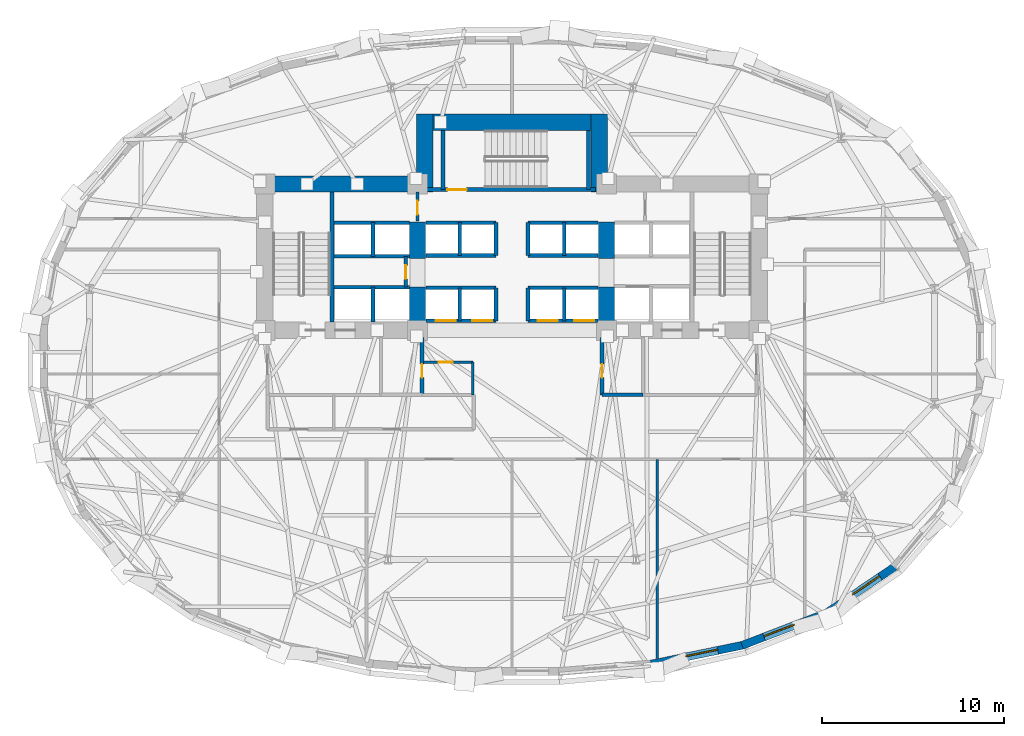
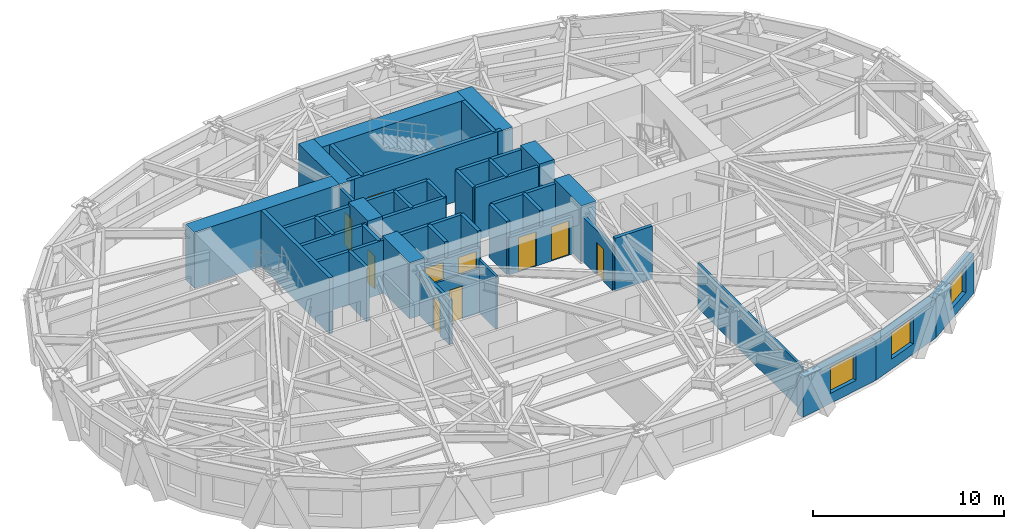
# One storey, part 7 of 13: 44 walls, 10 doors, 3 windows, 13 openings.
"""IFC4 building model written with IfcOpenShell, lengths in metres."""

from ifc_helpers import new_model, si_unit, direction, frame, frame_2d, origin, place, context, subcontext, project, spatial, rectangle, extrude, material, layer, layer_set, type_object, element, fill, save


model = new_model("IFC4")

# Units and contexts
model_context = context("Model", 3, precision=1e-05, world=origin(), true_north=direction((0.0, 1.0)))
body_context = subcontext(model_context, "Body", "Model", "MODEL_VIEW")
ifc_project = project(units=[si_unit("LENGTHUNIT", "METRE"), si_unit("AREAUNIT", "SQUARE_METRE"), si_unit("VOLUMEUNIT", "CUBIC_METRE"), si_unit("PLANEANGLEUNIT", "RADIAN"), si_unit("MASSUNIT", "GRAM", prefix="KILO")], contexts=[model_context])

# Site, building, storey
site_placement = place(None, origin())
site = spatial("IfcSite", under=ifc_project, at=site_placement, CompositionType="ELEMENT")
building_placement = place(site_placement, origin())
building = spatial("IfcBuilding", under=site, at=building_placement, Name="Keldmark Tower", CompositionType="ELEMENT")
storey_placement = place(building_placement, frame((0.0, 0.0, 34.199951171875)))
storey = spatial("IfcBuildingStorey", under=building, at=storey_placement, Name="L08", CompositionType="ELEMENT", Elevation=34.199951171875)

# Wall, opening, door
ifc_material_1 = material(Name="Acoustic Gypsum Board Interior Partition", Category="gypsum")
ifc_layer_1 = layer(ifc_material_1, 0.1298828125)
ifc_layer_set_1 = layer_set([ifc_layer_1], Name="Acoustic Gypsum Board Interior Partition")
wall_type_1 = type_object("IfcWallType", Name="Interior Partition 130 mm", PredefinedType="PARTITIONING", material=ifc_layer_set_1)
wall_1_placement = place(storey_placement, frame((-4.8798828125, -0.35009765625, 0.0), z_axis=(0.0, 0.0, 1.0), x_axis=(1.0, 0.0, 0.0)))
wall_1 = element("IfcWall", 1, at=wall_1_placement, inside=storey, type_object=wall_type_1, Name="L08 Interior Partition 130 mm CSC-W-N", PredefinedType="PARTITIONING", context=body_context, shape_type="SweptSolid", body=[
    extrude(rectangle(XDim=2.72998046875, YDim=0.1298828125, at=frame_2d((1.364990234375, 0.0))), origin(), (0.0, 0.0, 1.0), 2.85302734375),
])
opening_1_placement = place(wall_1_placement, frame((0.85009765625, 0.0, 0.0)))
opening_1 = element("IfcOpeningElement", 2, at=opening_1_placement, cuts=wall_1, Name="Opening D-CL078", PredefinedType="OPENING", context=body_context, shape_type="SweptSolid", body=[
    extrude(rectangle(XDim=0.780029296875, YDim=2.10009765625, at=frame_2d((0.39013671875, 1.050048828125))), frame((0.0, 0.074951171875, 0.0), z_axis=(0.0, -1.0, 0.0), x_axis=(1.0, 0.0, 0.0)), (0.0, 0.0, 1.0), 0.14990234375),
])
ifc_material_2 = material(Name="Flush Utility Closet Timber Door", Category="wood")
door_type_1 = type_object("IfcDoorType", Name="Closet Door 780x2100", OperationType="NOTDEFINED", PredefinedType="DOOR", material=ifc_material_2)
door_1_placement = place(opening_1_placement, origin())
door_1 = element("IfcDoor", 3, at=door_1_placement, inside=storey, type_object=door_type_1, Name="L08 Closet Door 780x2100 D-CSCW1-L08", OperationType="SINGLE_SWING_LEFT", OverallHeight=2.10009765625, OverallWidth=0.780029296875, PredefinedType="DOOR", context=body_context, shape_type="SweptSolid", body=[
    extrude(rectangle(XDim=0.780029296875, YDim=2.10009765625, at=frame_2d((0.39013671875, 1.050048828125))), frame((0.0, 0.02490234375, 0.0), z_axis=(0.0, -1.0, 0.0), x_axis=(1.0, 0.0, 0.0)), (0.0, 0.0, 1.0), 0.050048828125),
])
fill(opening_1, door_1)

# Walls
wall_2_placement = place(storey_placement, frame((-2.14990234375, -2.14990234375, 0.0), z_axis=(0.0, 0.0, 1.0), x_axis=(0.0, 1.0, 0.0)))
element("IfcWall", 4, at=wall_2_placement, inside=storey, type_object=wall_type_1, Name="L08 Interior Partition 130 mm CSC-W-E", PredefinedType="PARTITIONING", context=body_context, shape_type="SweptSolid", body=[
    extrude(rectangle(XDim=1.7998046875, YDim=0.1298828125, at=frame_2d((0.89990234375, 0.0))), origin(), (0.0, 0.0, 1.0), 3.400146484375),
])
wall_3_placement = place(storey_placement, frame((8.0, -16.65966796875, 0.0), z_axis=(0.0, 0.0, 1.0), x_axis=(0.0, 1.0, 0.0)))
element("IfcWall", 5, at=wall_3_placement, inside=storey, type_object=wall_type_1, Name="L08 Interior Partition 130 mm S-DIV-3", PredefinedType="PARTITIONING", context=body_context, shape_type="SweptSolid", body=[
    extrude(rectangle(XDim=10.959716796875, YDim=0.1298828125, at=frame_2d((5.47998046875, 0.0))), origin(), (0.0, 0.0, 1.0), 2.85302734375),
])
ifc_material_3 = material(Name="Concrete C70/85", Category="concrete")
ifc_layer_2 = layer(ifc_material_3, 0.89990234375)
ifc_layer_set_2 = layer_set([ifc_layer_2], Name="Concrete C70/85")
wall_type_2 = type_object("IfcWallType", Name="Lower Core Shear Wall 900 mm", PredefinedType="SHEAR", material=ifc_layer_set_2)
wall_4_placement = place(storey_placement, frame((-14.050048828125, 9.449951171875, 0.0), z_axis=(0.0, 0.0, 1.0), x_axis=(1.0, 0.0, 0.0)))
element("IfcWall", 6, at=wall_4_placement, inside=storey, type_object=wall_type_2, Name="L08 West Core North Shear Wall", PredefinedType="SHEAR", context=body_context, shape_type="SweptSolid", body=[
    extrude(rectangle(XDim=9.699951171875, YDim=0.89990234375, at=frame_2d((4.85009765625, 0.0))), origin(), (0.0, 0.0, 1.0), 3.60009765625),
])
wall_5_placement = place(storey_placement, frame((-5.199951171875, 0.949951171875, 0.0), z_axis=(0.0, 0.0, 1.0), x_axis=(0.0, 1.0, 0.0)))
element("IfcWall", 7, at=wall_5_placement, inside=storey, type_object=wall_type_2, Name="L08 West Core Inner Shear Pier South", PredefinedType="SHEAR", context=body_context, shape_type="SweptSolid", body=[
    extrude(rectangle(XDim=2.85009765625, YDim=0.89990234375, at=frame_2d((1.425048828125, 0.0))), origin(), (0.0, 0.0, 1.0), 3.60009765625),
])
wall_6_placement = place(storey_placement, frame((-5.199951171875, 5.35009765625, 0.0), z_axis=(0.0, 0.0, 1.0), x_axis=(0.0, 1.0, 0.0)))
element("IfcWall", 8, at=wall_6_placement, inside=storey, type_object=wall_type_2, Name="L08 West Core Inner Shear Pier North", PredefinedType="SHEAR", context=body_context, shape_type="SweptSolid", body=[
    extrude(rectangle(XDim=2.0, YDim=0.89990234375, at=frame_2d((1.0, 0.0))), origin(), (0.0, 0.0, 1.0), 3.60009765625),
])
wall_7_placement = place(storey_placement, frame((5.199951171875, 0.949951171875, 0.0), z_axis=(0.0, 0.0, 1.0), x_axis=(0.0, 1.0, 0.0)))
element("IfcWall", 9, at=wall_7_placement, inside=storey, type_object=wall_type_2, Name="L08 East Core Inner Shear Pier South", PredefinedType="SHEAR", context=body_context, shape_type="SweptSolid", body=[
    extrude(rectangle(XDim=2.85009765625, YDim=0.89990234375, at=frame_2d((1.425048828125, 0.0))), origin(), (0.0, 0.0, 1.0), 3.60009765625),
])
wall_8_placement = place(storey_placement, frame((5.199951171875, 5.35009765625, 0.0), z_axis=(0.0, 0.0, 1.0), x_axis=(0.0, 1.0, 0.0)))
element("IfcWall", 10, at=wall_8_placement, inside=storey, type_object=wall_type_2, Name="L08 East Core Inner Shear Pier North", PredefinedType="SHEAR", context=body_context, shape_type="SweptSolid", body=[
    extrude(rectangle(XDim=2.0, YDim=0.89990234375, at=frame_2d((1.0, 0.0))), origin(), (0.0, 0.0, 1.0), 3.60009765625),
])
wall_9_placement = place(storey_placement, frame((-5.25, 12.85009765625, 0.0), z_axis=(0.0, 0.0, 1.0), x_axis=(1.0, 0.0, 0.0)))
element("IfcWall", 11, at=wall_9_placement, inside=storey, type_object=wall_type_2, Name="L08 North Core Shear Wall", PredefinedType="SHEAR", context=body_context, shape_type="SweptSolid", body=[
    extrude(rectangle(XDim=10.5, YDim=0.89990234375, at=frame_2d((5.25, 0.0))), origin(), (0.0, 0.0, 1.0), 3.60009765625),
])
for number, where, z_axis, x_axis, name in (
    (12, (-4.800048828125, 9.0, 0.0), (0.0, 0.0, 1.0), (0.0, 1.0, 0.0), "L08 North Core West Shear Wall"),
    (13, (4.800048828125, 9.0, 0.0), (0.0, 0.0, 1.0), (0.0, 1.0, 0.0), "L08 North Core East Shear Wall"),
):
    element("IfcWall", number, at=place(storey_placement, frame(where, z_axis=z_axis, x_axis=x_axis)), inside=storey, type_object=wall_type_2, Name=name, PredefinedType="SHEAR", context=body_context, shape_type="SweptSolid", body=[
        extrude(rectangle(XDim=4.300048828125, YDim=0.89990234375, at=frame_2d((2.14990234375, 0.0))), origin(), (0.0, 0.0, 1.0), 3.60009765625),
    ])

# Wall, opening, door
ifc_material_4 = material(Name="Type X Fire-Rated Gypsum Partition Assembly", Category="gypsum")
ifc_layer_3 = layer(ifc_material_4, 0.1650390625)
ifc_layer_set_3 = layer_set([ifc_layer_3], Name="Type X Fire-Rated Gypsum Partition Assembly")
wall_type_3 = type_object("IfcWallType", Name="Rated Partition 165 mm", PredefinedType="PARTITIONING", material=ifc_layer_set_3)
wall_10_placement = place(storey_placement, frame((-5.199951171875, 7.419921875, 0.0), z_axis=(0.0, 0.0, 1.0), x_axis=(0.0, 1.0, 0.0)))
wall_10 = element("IfcWall", 14, at=wall_10_placement, inside=storey, type_object=wall_type_3, Name="L08 Rated Partition 165 mm CS-NW-E", PredefinedType="PARTITIONING", context=body_context, shape_type="SweptSolid", body=[
    extrude(rectangle(XDim=1.580078125, YDim=0.1650390625, at=frame_2d((0.7900390625, 0.0))), origin(), (0.0, 0.0, 1.0), 3.400146484375),
])
opening_2_placement = place(wall_10_placement, frame((0.35009765625, 0.0, 0.0)))
opening_2 = element("IfcOpeningElement", 15, at=opening_2_placement, cuts=wall_10, Name="Opening D-RS075", PredefinedType="OPENING", context=body_context, shape_type="SweptSolid", body=[
    extrude(rectangle(XDim=0.75, YDim=2.10009765625, at=frame_2d((0.375, 1.050048828125))), frame((0.0, 0.092529296875, 0.0), z_axis=(0.0, -1.0, 0.0), x_axis=(1.0, 0.0, 0.0)), (0.0, 0.0, 1.0), 0.18505859375),
])
ifc_material_5 = material(Name="Galvanized Fire-Rated Access Leaf", Category="metal")
door_type_2 = type_object("IfcDoorType", Name="Riser Access Door 750x2100", OperationType="NOTDEFINED", PredefinedType="DOOR", material=ifc_material_5)
door_2_placement = place(opening_2_placement, origin())
door_2 = element("IfcDoor", 16, at=door_2_placement, inside=storey, type_object=door_type_2, Name="L08 Riser Access Door 750x2100 D-CSNW1-L08", OperationType="SINGLE_SWING_LEFT", OverallHeight=2.10009765625, OverallWidth=0.75, PredefinedType="DOOR", context=body_context, shape_type="SweptSolid", body=[
    extrude(rectangle(XDim=0.75, YDim=2.10009765625, at=frame_2d((0.375, 1.050048828125))), frame((0.0, 0.02490234375, 0.0), z_axis=(0.0, -1.0, 0.0), x_axis=(1.0, 0.0, 0.0)), (0.0, 0.0, 1.0), 0.050048828125),
])
fill(opening_2, door_2)

ifc_material_6 = material(Name="Fire-Resistant Type X Gypsum Shaftliner Coreboard", Category="gypsum")
ifc_layer_4 = layer(ifc_material_6, 0.199951171875)
ifc_layer_set_4 = layer_set([ifc_layer_4], Name="Fire-Resistant Type X Gypsum Shaftliner Coreboard")
wall_type_4 = type_object("IfcWallType", Name="Shaft Wall 200 mm", PredefinedType="SOLIDWALL", material=ifc_layer_set_4)
wall_11_placement = place(storey_placement, frame((-4.949951171875, -2.14990234375, 0.0), z_axis=(0.0, 0.0, 1.0), x_axis=(0.0, 1.0, 0.0)))
wall_11 = element("IfcWall", 17, at=wall_11_placement, inside=storey, type_object=wall_type_4, Name="L08 Shaft Wall 200 mm RIS-SW-E", PredefinedType="SOLIDWALL", context=body_context, shape_type="SweptSolid", body=[
    extrude(rectangle(XDim=3.14990234375, YDim=0.199951171875, at=frame_2d((1.574951171875, 0.0))), origin(), (0.0, 0.0, 1.0), 2.85302734375),
])
opening_3_placement = place(wall_11_placement, frame((0.949951171875, 0.0, 0.0)))
opening_3 = element("IfcOpeningElement", 18, at=opening_3_placement, cuts=wall_11, Name="Opening D-RS075", PredefinedType="OPENING", context=body_context, shape_type="SweptSolid", body=[
    extrude(rectangle(XDim=0.75, YDim=2.10009765625, at=frame_2d((0.375, 1.050048828125))), frame((0.0, 0.10986328125, 0.0), z_axis=(0.0, -1.0, 0.0), x_axis=(1.0, 0.0, 0.0)), (0.0, 0.0, 1.0), 0.219970703125),
])
door_3_placement = place(opening_3_placement, origin())
door_3 = element("IfcDoor", 19, at=door_3_placement, inside=storey, type_object=door_type_2, Name="L08 Riser Access Door 750x2100 D-RISSW-L08", OperationType="SINGLE_SWING_RIGHT", OverallHeight=2.10009765625, OverallWidth=0.75, PredefinedType="DOOR", context=body_context, shape_type="SweptSolid", body=[
    extrude(rectangle(XDim=0.75, YDim=2.10009765625, at=frame_2d((0.375, 1.050048828125))), frame((0.0, 0.02490234375, 0.0), z_axis=(0.0, -1.0, 0.0), x_axis=(1.0, 0.0, 0.0)), (0.0, 0.0, 1.0), 0.050048828125),
])
fill(opening_3, door_3)

# Wall
wall_12_placement = place(storey_placement, frame((4.949951171875, -2.14990234375, 0.0), z_axis=(0.0, 0.0, 1.0), x_axis=(1.0, 0.0, 0.0)))
element("IfcWall", 20, at=wall_12_placement, inside=storey, type_object=wall_type_4, Name="L08 Shaft Wall 200 mm RIS-SE-S", PredefinedType="SOLIDWALL", context=body_context, shape_type="SweptSolid", body=[
    extrude(rectangle(XDim=2.25, YDim=0.199951171875, at=frame_2d((1.125, 0.0))), origin(), (0.0, 0.0, 1.0), 3.400146484375),
])

# Wall, opening, door
wall_13_placement = place(storey_placement, frame((4.949951171875, -2.14990234375, 0.0), z_axis=(0.0, 0.0, 1.0), x_axis=(0.0, 1.0, 0.0)))
wall_13 = element("IfcWall", 21, at=wall_13_placement, inside=storey, type_object=wall_type_4, Name="L08 Shaft Wall 200 mm RIS-SE-W", PredefinedType="SOLIDWALL", context=body_context, shape_type="SweptSolid", body=[
    extrude(rectangle(XDim=3.14990234375, YDim=0.199951171875, at=frame_2d((1.574951171875, 0.0))), origin(), (0.0, 0.0, 1.0), 2.85302734375),
])
opening_4_placement = place(wall_13_placement, frame((0.949951171875, 0.0, 0.0)))
opening_4 = element("IfcOpeningElement", 22, at=opening_4_placement, cuts=wall_13, Name="Opening D-RS075", PredefinedType="OPENING", context=body_context, shape_type="SweptSolid", body=[
    extrude(rectangle(XDim=0.75, YDim=2.10009765625, at=frame_2d((0.375, 1.050048828125))), frame((0.0, 0.10986328125, 0.0), z_axis=(0.0, -1.0, 0.0), x_axis=(1.0, 0.0, 0.0)), (0.0, 0.0, 1.0), 0.219970703125),
])
door_4_placement = place(opening_4_placement, origin())
door_4 = element("IfcDoor", 23, at=door_4_placement, inside=storey, type_object=door_type_2, Name="L08 Riser Access Door 750x2100 D-RISSE-L08", OperationType="SINGLE_SWING_LEFT", OverallHeight=2.10009765625, OverallWidth=0.75, PredefinedType="DOOR", context=body_context, shape_type="SweptSolid", body=[
    extrude(rectangle(XDim=0.75, YDim=2.10009765625, at=frame_2d((0.375, 1.050048828125))), frame((0.0, 0.02490234375, 0.0), z_axis=(0.0, -1.0, 0.0), x_axis=(1.0, 0.0, 0.0)), (0.0, 0.0, 1.0), 0.050048828125),
])
fill(opening_4, door_4)

# Walls
wall_14_placement = place(storey_placement, frame((-9.780029296875, 3.780029296875, 0.0), z_axis=(0.0, 0.0, 1.0), x_axis=(1.0, 0.0, 0.0)))
element("IfcWall", 24, at=wall_14_placement, inside=storey, type_object=wall_type_4, Name="L08 Shaft Wall 200 mm HW-W-S", PredefinedType="SOLIDWALL", context=body_context, shape_type="SweptSolid", body=[
    extrude(rectangle(XDim=4.130126953125, YDim=0.199951171875, at=frame_2d((2.06494140625, 0.0))), origin(), (0.0, 0.0, 1.0), 3.400146484375),
])
wall_15_placement = place(storey_placement, frame((-7.64990234375, 1.85009765625, 0.0), z_axis=(0.0, 0.0, 1.0), x_axis=(0.0, 1.0, 0.0)))
element("IfcWall", 25, at=wall_15_placement, inside=storey, type_object=wall_type_4, Name="L08 Shaft Wall 200 mm HW-W-M", PredefinedType="SOLIDWALL", context=body_context, shape_type="SweptSolid", body=[
    extrude(rectangle(XDim=1.929931640625, YDim=0.199951171875, at=frame_2d((0.96484375, 0.0))), origin(), (0.0, 0.0, 1.0), 3.400146484375),
])
for number, where, z_axis, x_axis, name in (
    (26, (-9.780029296875, 5.469970703125, 0.0), (0.0, 0.0, 1.0), (1.0, 0.0, 0.0), "L08 Shaft Wall 200 mm HW-W-N"),
    (27, (-9.780029296875, 7.330078125, 0.0), (0.0, 0.0, 1.0), (1.0, 0.0, 0.0), "L08 Shaft Wall 200 mm HW-W-TOP"),
):
    element("IfcWall", number, at=place(storey_placement, frame(where, z_axis=z_axis, x_axis=x_axis)), inside=storey, type_object=wall_type_4, Name=name, PredefinedType="SOLIDWALL", context=body_context, shape_type="SweptSolid", body=[
        extrude(rectangle(XDim=4.130126953125, YDim=0.199951171875, at=frame_2d((2.06494140625, 0.0))), origin(), (0.0, 0.0, 1.0), 3.400146484375),
    ])
wall_16_placement = place(storey_placement, frame((-7.64990234375, 5.469970703125, 0.0), z_axis=(0.0, 0.0, 1.0), x_axis=(0.0, 1.0, 0.0)))
element("IfcWall", 28, at=wall_16_placement, inside=storey, type_object=wall_type_4, Name="L08 Shaft Wall 200 mm HW-W-NM", PredefinedType="SOLIDWALL", context=body_context, shape_type="SweptSolid", body=[
    extrude(rectangle(XDim=1.860107421875, YDim=0.199951171875, at=frame_2d((0.93017578125, 0.0))), origin(), (0.0, 0.0, 1.0), 3.400146484375),
])

# Wall, opening, door
wall_17_placement = place(storey_placement, frame((-5.85009765625, 3.780029296875, 0.0), z_axis=(0.0, 0.0, 1.0), x_axis=(0.0, 1.0, 0.0)))
wall_17 = element("IfcWall", 29, at=wall_17_placement, inside=storey, type_object=wall_type_4, Name="L08 Shaft Wall 200 mm HW-W-CLOSE", PredefinedType="SOLIDWALL", context=body_context, shape_type="SweptSolid", body=[
    extrude(rectangle(XDim=1.68994140625, YDim=0.199951171875, at=frame_2d((0.844970703125, 0.0))), origin(), (0.0, 0.0, 1.0), 3.400146484375),
])
opening_5_placement = place(wall_17_placement, frame((0.449951171875, 0.0, 0.0)))
opening_5 = element("IfcOpeningElement", 30, at=opening_5_placement, cuts=wall_17, Name="Opening D-RS075", PredefinedType="OPENING", context=body_context, shape_type="SweptSolid", body=[
    extrude(rectangle(XDim=0.75, YDim=2.10009765625, at=frame_2d((0.375, 1.050048828125))), frame((0.0, 0.10986328125, 0.0), z_axis=(0.0, -1.0, 0.0), x_axis=(1.0, 0.0, 0.0)), (0.0, 0.0, 1.0), 0.219970703125),
])
door_5_placement = place(opening_5_placement, origin())
door_5 = element("IfcDoor", 31, at=door_5_placement, inside=storey, type_object=door_type_2, Name="L08 Riser Access Door 750x2100 D-RISHW-L08", OperationType="SINGLE_SWING_RIGHT", OverallHeight=2.10009765625, OverallWidth=0.75, PredefinedType="DOOR", context=body_context, shape_type="SweptSolid", body=[
    extrude(rectangle(XDim=0.75, YDim=2.10009765625, at=frame_2d((0.375, 1.050048828125))), frame((0.0, 0.02490234375, 0.0), z_axis=(0.0, -1.0, 0.0), x_axis=(1.0, 0.0, 0.0)), (0.0, 0.0, 1.0), 0.050048828125),
])
fill(opening_5, door_5)

# Wall, openings, doors
wall_18_placement = place(storey_placement, frame((-4.739990234375, 1.919921875, 0.0), z_axis=(0.0, 0.0, 1.0), x_axis=(1.0, 0.0, 0.0)))
wall_18 = element("IfcWall", 32, at=wall_18_placement, inside=storey, type_object=wall_type_4, Name="L08 Shaft Wall 200 mm LOW-S-W", PredefinedType="SOLIDWALL", context=body_context, shape_type="SweptSolid", body=[
    extrude(rectangle(XDim=3.860107421875, YDim=0.199951171875, at=frame_2d((1.93017578125, 0.0))), origin(), (0.0, 0.0, 1.0), 2.39013671875),
])
opening_6_placement = place(wall_18_placement, frame((0.550048828125, 0.0, 0.0)))
opening_6 = element("IfcOpeningElement", 33, at=opening_6_placement, cuts=wall_18, Name="Opening LD-110", PredefinedType="OPENING", context=body_context, shape_type="SweptSolid", body=[
    extrude(rectangle(XDim=1.10009765625, YDim=2.199951171875, at=frame_2d((0.550048828125, 1.10009765625))), frame((0.0, 0.10986328125, 0.0), z_axis=(0.0, -1.0, 0.0), x_axis=(1.0, 0.0, 0.0)), (0.0, 0.0, 1.0), 0.219970703125),
])
opening_7_placement = place(wall_18_placement, frame((2.550048828125, 0.0, 0.0)))
opening_7 = element("IfcOpeningElement", 34, at=opening_7_placement, cuts=wall_18, Name="Opening LD-110", PredefinedType="OPENING", context=body_context, shape_type="SweptSolid", body=[
    extrude(rectangle(XDim=1.10009765625, YDim=2.199951171875, at=frame_2d((0.550048828125, 1.10009765625))), frame((0.0, 0.10986328125, 0.0), z_axis=(0.0, -1.0, 0.0), x_axis=(1.0, 0.0, 0.0)), (0.0, 0.0, 1.0), 0.219970703125),
])
ifc_material_7 = material(Name="Brushed Bronze Hoistway Sliding Leaf", Category="metal")
door_type_3 = type_object("IfcDoorType", Name="Lift Landing Sliding Door 1100x2200", OperationType="SLIDING_TO_LEFT", PredefinedType="DOOR", material=ifc_material_7)
door_6_placement = place(opening_6_placement, origin())
door_6 = element("IfcDoor", 35, at=door_6_placement, inside=storey, type_object=door_type_3, Name="L08 Lift Landing Sliding Door 1100x2200 LD-EL-L1-L08", OperationType="SLIDING_TO_LEFT", OverallHeight=2.199951171875, OverallWidth=1.10009765625, PredefinedType="DOOR", context=body_context, shape_type="SweptSolid", body=[
    extrude(rectangle(XDim=1.10009765625, YDim=2.199951171875, at=frame_2d((0.550048828125, 1.10009765625))), frame((0.0, 0.02490234375, 0.0), z_axis=(0.0, -1.0, 0.0), x_axis=(1.0, 0.0, 0.0)), (0.0, 0.0, 1.0), 0.050048828125),
])
fill(opening_6, door_6)
door_7_placement = place(opening_7_placement, origin())
door_7 = element("IfcDoor", 36, at=door_7_placement, inside=storey, type_object=door_type_3, Name="L08 Lift Landing Sliding Door 1100x2200 LD-EL-L2-L08", OperationType="SLIDING_TO_LEFT", OverallHeight=2.199951171875, OverallWidth=1.10009765625, PredefinedType="DOOR", context=body_context, shape_type="SweptSolid", body=[
    extrude(rectangle(XDim=1.10009765625, YDim=2.199951171875, at=frame_2d((0.550048828125, 1.10009765625))), frame((0.0, 0.02490234375, 0.0), z_axis=(0.0, -1.0, 0.0), x_axis=(1.0, 0.0, 0.0)), (0.0, 0.0, 1.0), 0.050048828125),
])
fill(opening_7, door_7)

wall_19_placement = place(storey_placement, frame((0.8798828125, 1.919921875, 0.0), z_axis=(0.0, 0.0, 1.0), x_axis=(1.0, 0.0, 0.0)))
wall_19 = element("IfcWall", 37, at=wall_19_placement, inside=storey, type_object=wall_type_4, Name="L08 Shaft Wall 200 mm LOW-S-E", PredefinedType="SOLIDWALL", context=body_context, shape_type="SweptSolid", body=[
    extrude(rectangle(XDim=3.860107421875, YDim=0.199951171875, at=frame_2d((1.93017578125, 0.0))), origin(), (0.0, 0.0, 1.0), 2.39013671875),
])
opening_8_placement = place(wall_19_placement, frame((0.550048828125, 0.0, 0.0)))
opening_8 = element("IfcOpeningElement", 38, at=opening_8_placement, cuts=wall_19, Name="Opening LD-110", PredefinedType="OPENING", context=body_context, shape_type="SweptSolid", body=[
    extrude(rectangle(XDim=1.10009765625, YDim=2.199951171875, at=frame_2d((0.550048828125, 1.10009765625))), frame((0.0, 0.10986328125, 0.0), z_axis=(0.0, -1.0, 0.0), x_axis=(1.0, 0.0, 0.0)), (0.0, 0.0, 1.0), 0.219970703125),
])
opening_9_placement = place(wall_19_placement, frame((2.550048828125, 0.0, 0.0)))
opening_9 = element("IfcOpeningElement", 39, at=opening_9_placement, cuts=wall_19, Name="Opening LD-110", PredefinedType="OPENING", context=body_context, shape_type="SweptSolid", body=[
    extrude(rectangle(XDim=1.10009765625, YDim=2.199951171875, at=frame_2d((0.550048828125, 1.10009765625))), frame((0.0, 0.10986328125, 0.0), z_axis=(0.0, -1.0, 0.0), x_axis=(1.0, 0.0, 0.0)), (0.0, 0.0, 1.0), 0.219970703125),
])
door_8_placement = place(opening_8_placement, origin())
door_8 = element("IfcDoor", 40, at=door_8_placement, inside=storey, type_object=door_type_3, Name="L08 Lift Landing Sliding Door 1100x2200 LD-EL-L3-L08", OperationType="SLIDING_TO_LEFT", OverallHeight=2.199951171875, OverallWidth=1.10009765625, PredefinedType="DOOR", context=body_context, shape_type="SweptSolid", body=[
    extrude(rectangle(XDim=1.10009765625, YDim=2.199951171875, at=frame_2d((0.550048828125, 1.10009765625))), frame((0.0, 0.02490234375, 0.0), z_axis=(0.0, -1.0, 0.0), x_axis=(1.0, 0.0, 0.0)), (0.0, 0.0, 1.0), 0.050048828125),
])
fill(opening_8, door_8)
door_9_placement = place(opening_9_placement, origin())
door_9 = element("IfcDoor", 41, at=door_9_placement, inside=storey, type_object=door_type_3, Name="L08 Lift Landing Sliding Door 1100x2200 LD-EL-L4-L08", OperationType="SLIDING_TO_LEFT", OverallHeight=2.199951171875, OverallWidth=1.10009765625, PredefinedType="DOOR", context=body_context, shape_type="SweptSolid", body=[
    extrude(rectangle(XDim=1.10009765625, YDim=2.199951171875, at=frame_2d((0.550048828125, 1.10009765625))), frame((0.0, 0.02490234375, 0.0), z_axis=(0.0, -1.0, 0.0), x_axis=(1.0, 0.0, 0.0)), (0.0, 0.0, 1.0), 0.050048828125),
])
fill(opening_9, door_9)

# Walls
for number, where, z_axis, x_axis, name in (
    (42, (-4.739990234375, 3.739990234375, 0.0), (0.0, 0.0, 1.0), (1.0, 0.0, 0.0), "L08 Shaft Wall 200 mm LOW-N-W"),
    (43, (0.8798828125, 3.739990234375, 0.0), (0.0, 0.0, 1.0), (1.0, 0.0, 0.0), "L08 Shaft Wall 200 mm LOW-N-E"),
):
    element("IfcWall", number, at=place(storey_placement, frame(where, z_axis=z_axis, x_axis=x_axis)), inside=storey, type_object=wall_type_4, Name=name, PredefinedType="SOLIDWALL", context=body_context, shape_type="SweptSolid", body=[
        extrude(rectangle(XDim=3.860107421875, YDim=0.199951171875, at=frame_2d((1.93017578125, 0.0))), origin(), (0.0, 0.0, 1.0), 3.400146484375),
    ])
for number, where, z_axis, x_axis, name in (
    (44, (-2.8798828125, 1.919921875, 0.0), (0.0, 0.0, 1.0), (0.0, 1.0, 0.0), "L08 Shaft Wall 200 mm LOW-M-W"),
    (45, (2.8798828125, 1.919921875, 0.0), (0.0, 0.0, 1.0), (0.0, 1.0, 0.0), "L08 Shaft Wall 200 mm LOW-M-E"),
    (46, (-0.8798828125, 1.919921875, 0.0), (0.0, 0.0, 1.0), (0.0, 1.0, 0.0), "L08 Shaft Wall 200 mm LOW-C-W"),
    (47, (0.8798828125, 1.919921875, 0.0), (0.0, 0.0, 1.0), (0.0, 1.0, 0.0), "L08 Shaft Wall 200 mm LOW-C-E"),
):
    element("IfcWall", number, at=place(storey_placement, frame(where, z_axis=z_axis, x_axis=x_axis)), inside=storey, type_object=wall_type_4, Name=name, PredefinedType="SOLIDWALL", context=body_context, shape_type="SweptSolid", body=[
        extrude(rectangle(XDim=1.820068359375, YDim=0.199951171875, at=frame_2d((0.91015625, 0.0))), origin(), (0.0, 0.0, 1.0), 3.400146484375),
    ])
for number, where, z_axis, x_axis, name in (
    (48, (-4.739990234375, 5.52001953125, 0.0), (0.0, 0.0, 1.0), (1.0, 0.0, 0.0), "L08 Shaft Wall 200 mm MID-S-W"),
    (49, (0.8798828125, 5.52001953125, 0.0), (0.0, 0.0, 1.0), (1.0, 0.0, 0.0), "L08 Shaft Wall 200 mm MID-S-E"),
    (50, (-4.739990234375, 7.330078125, 0.0), (0.0, 0.0, 1.0), (1.0, 0.0, 0.0), "L08 Shaft Wall 200 mm MID-N-W"),
    (51, (0.8798828125, 7.330078125, 0.0), (0.0, 0.0, 1.0), (1.0, 0.0, 0.0), "L08 Shaft Wall 200 mm MID-N-E"),
):
    element("IfcWall", number, at=place(storey_placement, frame(where, z_axis=z_axis, x_axis=x_axis)), inside=storey, type_object=wall_type_4, Name=name, PredefinedType="SOLIDWALL", context=body_context, shape_type="SweptSolid", body=[
        extrude(rectangle(XDim=3.860107421875, YDim=0.199951171875, at=frame_2d((1.93017578125, 0.0))), origin(), (0.0, 0.0, 1.0), 3.400146484375),
    ])
for number, where, z_axis, x_axis, name in (
    (52, (-2.8798828125, 5.52001953125, 0.0), (0.0, 0.0, 1.0), (0.0, 1.0, 0.0), "L08 Shaft Wall 200 mm MID-M-W"),
    (53, (2.8798828125, 5.52001953125, 0.0), (0.0, 0.0, 1.0), (0.0, 1.0, 0.0), "L08 Shaft Wall 200 mm MID-M-E"),
    (54, (-0.8798828125, 5.52001953125, 0.0), (0.0, 0.0, 1.0), (0.0, 1.0, 0.0), "L08 Shaft Wall 200 mm MID-C-W"),
    (55, (0.8798828125, 5.52001953125, 0.0), (0.0, 0.0, 1.0), (0.0, 1.0, 0.0), "L08 Shaft Wall 200 mm MID-C-E"),
):
    element("IfcWall", number, at=place(storey_placement, frame(where, z_axis=z_axis, x_axis=x_axis)), inside=storey, type_object=wall_type_4, Name=name, PredefinedType="SOLIDWALL", context=body_context, shape_type="SweptSolid", body=[
        extrude(rectangle(XDim=1.81005859375, YDim=0.199951171875, at=frame_2d((0.905029296875, 0.0))), origin(), (0.0, 0.0, 1.0), 3.400146484375),
    ])
ifc_material_8 = material(Name="Concrete C50/60", Category="concrete")
ifc_layer_5 = layer(ifc_material_8, 0.219970703125)
ifc_layer_set_5 = layer_set([ifc_layer_5], Name="Concrete C50/60")
wall_type_5 = type_object("IfcWallType", Name="Stair Core Shear Wall 220 mm", PredefinedType="SHEAR", material=ifc_layer_set_5)
wall_20_placement = place(storey_placement, frame((-9.889892578125, 1.85009765625, 0.0), z_axis=(0.0, 0.0, 1.0), x_axis=(0.0, 1.0, 0.0)))
element("IfcWall", 56, at=wall_20_placement, inside=storey, type_object=wall_type_5, Name="L08 West Stair Core Shear Wall", PredefinedType="SHEAR", context=body_context, shape_type="SweptSolid", body=[
    extrude(rectangle(XDim=7.14990234375, YDim=0.219970703125, at=frame_2d((3.574951171875, 0.0))), origin(), (0.0, 0.0, 1.0), 3.60009765625),
])

# Wall, opening, door
wall_21_placement = place(storey_placement, frame((-4.699951171875, 9.139892578125, 0.0), z_axis=(0.0, 0.0, 1.0), x_axis=(1.0, 0.0, 0.0)))
wall_21 = element("IfcWall", 57, at=wall_21_placement, inside=storey, type_object=wall_type_5, Name="L08 Central Stair Core South Shear Wall", PredefinedType="SHEAR", context=body_context, shape_type="SweptSolid", body=[
    extrude(rectangle(XDim=9.300048828125, YDim=0.219970703125, at=frame_2d((4.64990234375, 0.0))), origin(), (0.0, 0.0, 1.0), 3.60009765625),
])
opening_10_placement = place(wall_21_placement, frame((1.14990234375, 0.0, 0.0)))
opening_10 = element("IfcOpeningElement", 58, at=opening_10_placement, cuts=wall_21, Name="Opening D-ST105", PredefinedType="OPENING", context=body_context, shape_type="SweptSolid", body=[
    extrude(rectangle(XDim=1.050048828125, YDim=2.14990234375, at=frame_2d((0.52490234375, 1.074951171875))), frame((0.0, 0.119873046875, 0.0), z_axis=(0.0, -1.0, 0.0), x_axis=(1.0, 0.0, 0.0)), (0.0, 0.0, 1.0), 0.239990234375),
])
ifc_material_9 = material(Name="Hollow Metal Fire-Rated Door Assembly", Category="metal")
door_type_4 = type_object("IfcDoorType", Name="Stair Fire Door 1050x2150", OperationType="NOTDEFINED", PredefinedType="DOOR", material=ifc_material_9)
door_10_placement = place(opening_10_placement, origin())
door_10 = element("IfcDoor", 59, at=door_10_placement, inside=storey, type_object=door_type_4, Name="L08 Stair Fire Door 1050x2150 D-ST3-L08", OperationType="SINGLE_SWING_RIGHT", OverallHeight=2.14990234375, OverallWidth=1.050048828125, PredefinedType="DOOR", context=body_context, shape_type="SweptSolid", body=[
    extrude(rectangle(XDim=1.050048828125, YDim=2.14990234375, at=frame_2d((0.52490234375, 1.074951171875))), frame((0.0, 0.02490234375, 0.0), z_axis=(0.0, -1.0, 0.0), x_axis=(1.0, 0.0, 0.0)), (0.0, 0.0, 1.0), 0.050048828125),
])
fill(opening_10, door_10)

# Walls
for number, where, z_axis, x_axis, name in (
    (60, (-3.784912109375, 9.139892578125, 0.0), (0.0, 0.0, 1.0), (0.0, 1.0, 0.0), "L08 Central Stair Core West Shear Wall"),
    (61, (4.215087890625, 9.139892578125, 0.0), (0.0, 0.0, 1.0), (0.0, 1.0, 0.0), "L08 Central Stair Core East Shear Wall"),
):
    element("IfcWall", number, at=place(storey_placement, frame(where, z_axis=z_axis, x_axis=x_axis)), inside=storey, type_object=wall_type_5, Name=name, PredefinedType="SHEAR", context=body_context, shape_type="SweptSolid", body=[
        extrude(rectangle(XDim=3.260009765625, YDim=0.219970703125, at=frame_2d((1.6298828125, 0.0))), origin(), (0.0, 0.0, 1.0), 3.60009765625),
    ])

# Wall, opening, window
ifc_material_10 = material(Name="Ironspot Manganese Brick and Kasota Buff Limestone Spandrel Assembly", Category="masonry")
ifc_layer_6 = layer(ifc_material_10, 0.43994140625)
ifc_layer_set_6 = layer_set([ifc_layer_6], Name="Ironspot Manganese Brick and Kasota Buff Limestone Spandrel Assembly")
wall_type_6 = type_object("IfcWallType", Name="Tower Brick Pier and Spandrel Wall 440 mm", PredefinedType="STANDARD", material=ifc_layer_set_6)
wall_22_placement = place(storey_placement, frame((12.693603515625, -15.923583984375, 0.0), z_axis=(0.0, 0.0, 1.0), x_axis=(-0.979349207435, -0.202175987437, 0.0)))
wall_22 = element("IfcWall", 62, at=wall_22_placement, inside=storey, type_object=wall_type_6, Name="L08 Exterior Brick and Spandrel Wall 26", PredefinedType="STANDARD", context=body_context, shape_type="SweptSolid", body=[
    extrude(rectangle(XDim=5.149169921875, YDim=0.43994140625, at=frame_2d((2.57470703125, 0.0))), origin(), (0.0, 0.0, 1.0), 2.532958984375),
])
opening_11_placement = place(wall_22_placement, frame((1.399658203125, 0.0, 0.64990234375)))
opening_11 = element("IfcOpeningElement", 63, at=opening_11_placement, cuts=wall_22, Name="Opening W-02", PredefinedType="OPENING", context=body_context, shape_type="SweptSolid", body=[
    extrude(rectangle(XDim=1.800048828125, YDim=1.699951171875, at=frame_2d((0.89990234375, 0.85009765625))), frame((0.0, 0.22998046875, 0.0), z_axis=(0.0, -1.0, 0.0), x_axis=(1.0, 0.0, 0.0)), (0.0, 0.0, 1.0), 0.4599609375),
])
ifc_material_11 = material(Name="Thermally Broken Anodized Aluminum and Triple Low-E Argon Glazing", Category="aluminium")
window_type = type_object("IfcWindowType", Name="Office Deep-Set Triple Window 1800x1700", PartitioningType="TRIPLE_PANEL_VERTICAL", PredefinedType="WINDOW", material=ifc_material_11)
window_1_placement = place(opening_11_placement, origin())
window_1 = element("IfcWindow", 64, at=window_1_placement, inside=storey, type_object=window_type, Name="L08 Deep-Set Window 26", OverallHeight=1.699951171875, OverallWidth=1.800048828125, PartitioningType="SINGLE_PANEL", PredefinedType="WINDOW", context=body_context, shape_type="SweptSolid", body=[
    extrude(rectangle(XDim=1.800048828125, YDim=1.699951171875, at=frame_2d((0.89990234375, 0.85009765625))), frame((0.0, -0.010009765625, 0.0), z_axis=(0.0, -1.0, 0.0), x_axis=(1.0, 0.0, 0.0)), (0.0, 0.0, 1.0), 0.06005859375),
])
fill(opening_11, window_1)

wall_23_placement = place(storey_placement, frame((17.318359375, -14.150390625, 0.0), z_axis=(0.0, 0.0, 1.0), x_axis=(-0.933928375579, -0.357460192592, 0.0)))
wall_23 = element("IfcWall", 65, at=wall_23_placement, inside=storey, type_object=wall_type_6, Name="L08 Exterior Brick and Spandrel Wall 27", PredefinedType="STANDARD", context=body_context, shape_type="SweptSolid", body=[
    extrude(rectangle(XDim=4.988525390625, YDim=0.43994140625, at=frame_2d((2.494140625, 0.0))), origin(), (0.0, 0.0, 1.0), 2.529052734375),
])
opening_12_placement = place(wall_23_placement, frame((1.89306640625, 0.0, 0.64990234375)))
opening_12 = element("IfcOpeningElement", 66, at=opening_12_placement, cuts=wall_23, Name="Opening W-02", PredefinedType="OPENING", context=body_context, shape_type="SweptSolid", body=[
    extrude(rectangle(XDim=1.800048828125, YDim=1.699951171875, at=frame_2d((0.89990234375, 0.85009765625))), frame((0.0, 0.22998046875, 0.0), z_axis=(0.0, -1.0, 0.0), x_axis=(1.0, 0.0, 0.0)), (0.0, 0.0, 1.0), 0.4599609375),
])
window_2_placement = place(opening_12_placement, origin())
window_2 = element("IfcWindow", 67, at=window_2_placement, inside=storey, type_object=window_type, Name="L08 Deep-Set Window 27", OverallHeight=1.699951171875, OverallWidth=1.800048828125, PartitioningType="SINGLE_PANEL", PredefinedType="WINDOW", context=body_context, shape_type="SweptSolid", body=[
    extrude(rectangle(XDim=1.800048828125, YDim=1.699951171875, at=frame_2d((0.89990234375, 0.85009765625))), frame((0.0, -0.010009765625, 0.0), z_axis=(0.0, -1.0, 0.0), x_axis=(1.0, 0.0, 0.0)), (0.0, 0.0, 1.0), 0.06005859375),
])
fill(opening_12, window_2)

wall_24_placement = place(storey_placement, frame((21.074951171875, -11.599609375, 0.0), z_axis=(0.0, 0.0, 1.0), x_axis=(-0.828003115717, -0.560723497246, 0.0)))
wall_24 = element("IfcWall", 68, at=wall_24_placement, inside=storey, type_object=wall_type_6, Name="L08 Exterior Brick and Spandrel Wall 28", PredefinedType="STANDARD", context=body_context, shape_type="SweptSolid", body=[
    extrude(rectangle(XDim=4.5908203125, YDim=0.43994140625, at=frame_2d((2.29541015625, 0.0))), origin(), (0.0, 0.0, 1.0), 2.529052734375),
])
opening_13_placement = place(wall_24_placement, frame((0.9970703125, 0.0, 0.64990234375)))
opening_13 = element("IfcOpeningElement", 69, at=opening_13_placement, cuts=wall_24, Name="Opening W-02", PredefinedType="OPENING", context=body_context, shape_type="SweptSolid", body=[
    extrude(rectangle(XDim=1.800048828125, YDim=1.699951171875, at=frame_2d((0.89990234375, 0.85009765625))), frame((0.0, 0.22998046875, 0.0), z_axis=(0.0, -1.0, 0.0), x_axis=(1.0, 0.0, 0.0)), (0.0, 0.0, 1.0), 0.4599609375),
])
window_3_placement = place(opening_13_placement, origin())
window_3 = element("IfcWindow", 70, at=window_3_placement, inside=storey, type_object=window_type, Name="L08 Deep-Set Window 28", OverallHeight=1.699951171875, OverallWidth=1.800048828125, PartitioningType="SINGLE_PANEL", PredefinedType="WINDOW", context=body_context, shape_type="SweptSolid", body=[
    extrude(rectangle(XDim=1.800048828125, YDim=1.699951171875, at=frame_2d((0.89990234375, 0.85009765625))), frame((0.0, -0.010009765625, 0.0), z_axis=(0.0, -1.0, 0.0), x_axis=(1.0, 0.0, 0.0)), (0.0, 0.0, 1.0), 0.06005859375),
])
fill(opening_13, window_3)

save(model, "model.ifc")
